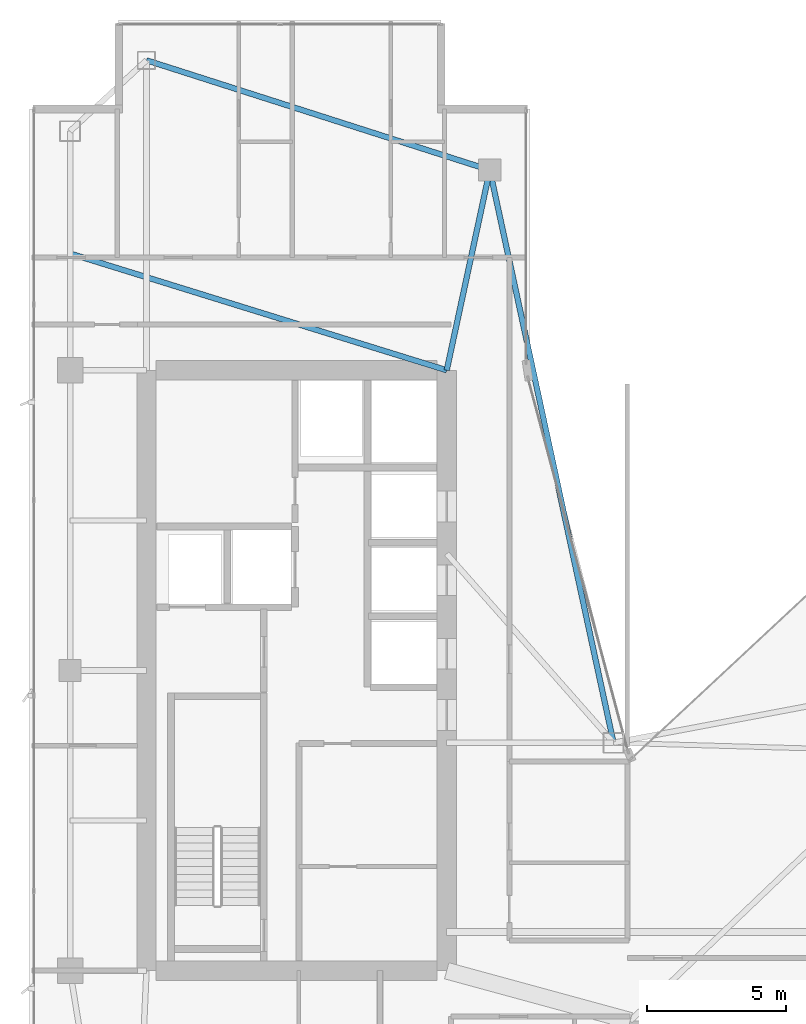
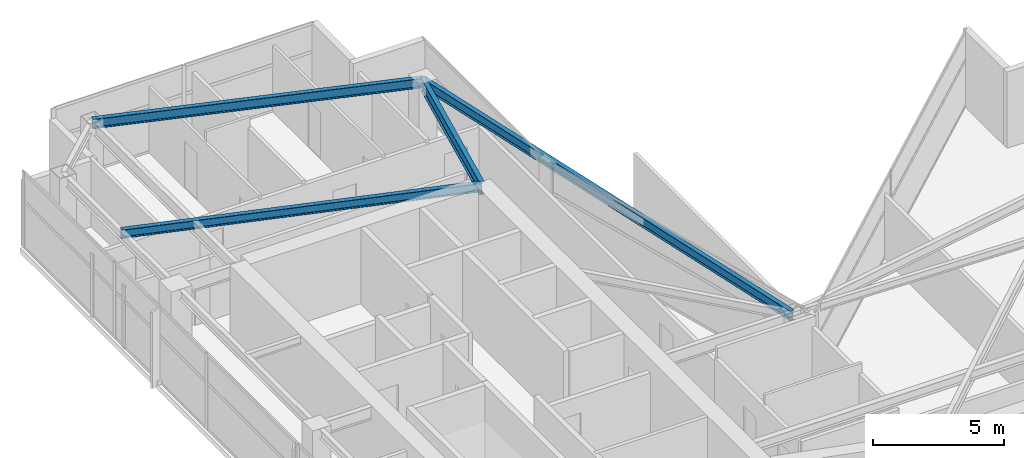
# One storey, part 17 of 27: 4 beams.
"""IFC4 building model written with IfcOpenShell, lengths in metres."""

import ifcopenshell
import ifcopenshell.guid

model = None  # the IFC model being written
_history = None  # IfcOwnerHistory: only IFC2X3 demands one
_inside = {}  # id of a spatial element -> (the spatial element, [elements in it])
_under = {}  # id of a project, library or spatial element -> (it, [spatial elements below it])
_declared = {}  # id of a project -> (the project, [libraries it declares])
_typed = {}  # id of a type object -> (the type object, [elements of that type])
_made_of = {}  # id of a material, layer set ... -> (it, [elements and type objects made of it])


def new_model(schema):
    """Start an empty IFC model of exactly this schema.

    Asked for "IFC4X3", IfcOpenShell would pick the latest addendum, in which some entities
    have other attributes; the version numbers below select the first issue.
    IFC2X3 requires an IfcOwnerHistory on every rooted entity: one is made here for all.
    """
    global model, _history
    if schema == "IFC4X3":
        model = ifcopenshell.file(schema_version=(4, 3, 0, 0))
    else:
        model = ifcopenshell.file(schema=schema)
    _inside.clear()
    _under.clear()
    _declared.clear()
    _typed.clear()
    _made_of.clear()
    _history = None
    if model.schema == "IFC2X3":
        org = make("IfcOrganization", Name="unknown")
        user = make(
            "IfcPersonAndOrganization",
            ThePerson=make("IfcPerson", FamilyName="unknown"),
            TheOrganization=org,
        )
        app = make(
            "IfcApplication",
            ApplicationDeveloper=org,
            Version="unknown",
            ApplicationFullName="unknown",
            ApplicationIdentifier="unknown",
        )
        _history = make(
            "IfcOwnerHistory",
            OwningUser=user,
            OwningApplication=app,
            ChangeAction="ADDED",
            CreationDate=0,
        )
    return model


def make(cls, **values):
    """One entity of the class cls with the attributes given. An attribute that is None is left unset."""
    return model.create_entity(
        cls, **{name: value for name, value in values.items() if value is not None}
    )


def rooted(cls, **values):
    """An entity with a GlobalId (a new one), such as an element, a storey or a relation."""
    return make(cls, GlobalId=ifcopenshell.guid.new(), OwnerHistory=_history, **values)


def si_unit(unit_type, name, prefix=None):
    """IfcSIUnit, for example si_unit("LENGTHUNIT", "METRE", prefix="MILLI")."""
    return make("IfcSIUnit", UnitType=unit_type, Prefix=prefix, Name=name)


def assignment(units):
    """IfcUnitAssignment: the units of a project."""
    return None if units is None else make("IfcUnitAssignment", Units=units)


def point(xyz):
    """IfcCartesianPoint."""
    return None if xyz is None else make("IfcCartesianPoint", Coordinates=xyz)


def direction(xyz):
    """IfcDirection."""
    return None if xyz is None else make("IfcDirection", DirectionRatios=xyz)


def frame(location, z_axis=None, x_axis=None):
    """IfcAxis2Placement3D, a coordinate frame: its origin and axes. An axis left out is left unset."""
    return make(
        "IfcAxis2Placement3D",
        Location=point(location),
        Axis=direction(z_axis),
        RefDirection=direction(x_axis),
    )


def frame_2d(location, x_axis=None):
    """IfcAxis2Placement2D, a coordinate frame in the plane: its origin and x axis."""
    return make(
        "IfcAxis2Placement2D", Location=point(location), RefDirection=direction(x_axis)
    )


def origin():
    """The frame at (0, 0, 0) with its axes left unset."""
    return frame((0.0, 0.0, 0.0))


def origin_2d():
    """The frame at (0, 0) in the plane with its x axis left unset."""
    return frame_2d((0.0, 0.0))


def place(relative_to, where):
    """IfcLocalPlacement: puts the frame where relative to a parent placement (None: the world)."""
    return make(
        "IfcLocalPlacement", PlacementRelTo=relative_to, RelativePlacement=where
    )


def context(
    kind, dimensions, precision=None, world=None, true_north=None, identifier=None
):
    """IfcGeometricRepresentationContext, for example the 3D "Model" context."""
    return make(
        "IfcGeometricRepresentationContext",
        ContextIdentifier=identifier,
        ContextType=kind,
        CoordinateSpaceDimension=dimensions,
        Precision=precision,
        WorldCoordinateSystem=world,
        TrueNorth=true_north,
    )


def subcontext(parent, identifier, kind, view, scale=None):
    """IfcGeometricRepresentationSubContext, for example "Body" below "Model"."""
    return make(
        "IfcGeometricRepresentationSubContext",
        ContextIdentifier=identifier,
        ContextType=kind,
        ParentContext=parent,
        TargetScale=scale,
        TargetView=view,
    )


def project(units=None, contexts=None):
    """IfcProject with its units and contexts."""
    return rooted(
        "IfcProject",
        Name="project",
        RepresentationContexts=contexts,
        UnitsInContext=assignment(units),
    )


def spatial(cls, under=None, at=None, **own):
    """A site, building, storey or space (cls), placed at a placement, below another one or the project."""
    s = rooted(cls, ObjectPlacement=at, **own)
    if under is not None:
        _under.setdefault(under.id(), (under, []))[1].append(s)
    return s


def profile(cls, at=None, kind="AREA", **sizes):
    """A parametric profile (cls). Its sizes go by their IFC names, for example OverallWidth=200.0."""
    return make(cls, ProfileType=kind, Position=at, **sizes)


def i_section(**sizes):
    """IfcIShapeProfileDef."""
    return profile("IfcIShapeProfileDef", **sizes)


def extrude(swept, where, along, depth):
    """IfcExtrudedAreaSolid: the profile swept, set in the frame where, extruded along a direction by depth."""
    return make(
        "IfcExtrudedAreaSolid",
        SweptArea=swept,
        Position=where,
        ExtrudedDirection=direction(along),
        Depth=depth,
    )


def shape(context_of_items, identifier, shape_type, items):
    """IfcShapeRepresentation: the items that make up one representation, for example the "Body"."""
    return make(
        "IfcShapeRepresentation",
        ContextOfItems=context_of_items,
        RepresentationIdentifier=identifier,
        RepresentationType=shape_type,
        Items=items,
    )


def material(Name=None, Category=None):
    """IfcMaterial."""
    return make("IfcMaterial", Name=Name, Category=Category)


def material_profile(
    of_material, cross_section, Name=None, Category=None, Priority=None
):
    """IfcMaterialProfile: a cross section and its material."""
    return make(
        "IfcMaterialProfile",
        Name=Name,
        Material=of_material,
        Profile=cross_section,
        Priority=Priority,
        Category=Category,
    )


def profile_set(profiles, Name=None, composite=None):
    """IfcMaterialProfileSet."""
    return make(
        "IfcMaterialProfileSet",
        Name=Name,
        MaterialProfiles=profiles,
        CompositeProfile=composite,
    )


def made_of(thing, what):
    """Note that an element or type object is made of a material, layer set ...; save() writes the relation."""
    if what is not None:
        _made_of.setdefault(what.id(), (what, []))[1].append(thing)
    return thing


def type_object(cls, material=None, **own):
    """A type object (cls), such as IfcWallType, which elements share."""
    return made_of(rooted(cls, **own), material)


def element(
    cls,
    number,
    at=None,
    inside=None,
    cuts=None,
    type_object=None,
    material=None,
    context=None,
    identifier="Body",
    shape_type=None,
    held_by="IfcProductDefinitionShape",
    body=None,
    shapes=None,
    **own,
):
    """One element of the class cls, such as IfcWall. Its Tag is "e" and its number.

    at: its placement. inside: the storey or other place that contains it. cuts: it is an
    opening in that element (IfcRelVoidsElement). A single representation is given by context,
    identifier, shape_type and body (its items); several are given by shapes. held_by: the class
    of the entity that holds the representations. save() writes the other relations.
    """
    e = rooted(cls, Tag="e%d" % number, ObjectPlacement=at, **own)
    if body is not None:
        shapes = [shape(context, identifier, shape_type, body)]
    if shapes is not None:
        e.Representation = make(held_by, Representations=shapes)
    if inside is not None:
        _inside.setdefault(inside.id(), (inside, []))[1].append(e)
    if cuts is not None:
        rooted(
            "IfcRelVoidsElement", RelatingBuildingElement=cuts, RelatedOpeningElement=e
        )
    if type_object is not None:
        _typed.setdefault(type_object.id(), (type_object, []))[1].append(e)
    return made_of(e, material)


def aggregate(whole, parts):
    """IfcRelAggregates: a whole, such as a stair, and the parts it consists of."""
    return rooted("IfcRelAggregates", RelatingObject=whole, RelatedObjects=parts)


def save(model, path):
    """Write the relations noted so far, then the file.

    IfcRelAggregates (storeys below a building ...), IfcRelContainedInSpatialStructure (elements
    in a storey), IfcRelDefinesByType, IfcRelAssociatesMaterial and IfcRelDeclares: one each for
    every whole, place, type object, material and project.
    """
    for whole, parts in _under.values():
        aggregate(whole, parts)
    for where, things in _inside.values():
        rooted(
            "IfcRelContainedInSpatialStructure",
            RelatedElements=things,
            RelatingStructure=where,
        )
    for kind, things in _typed.values():
        rooted("IfcRelDefinesByType", RelatedObjects=things, RelatingType=kind)
    for what, things in _made_of.values():
        rooted("IfcRelAssociatesMaterial", RelatedObjects=things, RelatingMaterial=what)
    for by, libraries in _declared.values():
        rooted("IfcRelDeclares", RelatingContext=by, RelatedDefinitions=libraries)
    model.write(path)


model = new_model("IFC4")

# Units and contexts
model_context = context("Model", 3, precision=1e-05, world=origin(), true_north=direction((0.0, 1.0)))
body_context = subcontext(model_context, "Body", "Model", "MODEL_VIEW")
ifc_project = project(units=[si_unit("LENGTHUNIT", "METRE"), si_unit("AREAUNIT", "SQUARE_METRE"), si_unit("VOLUMEUNIT", "CUBIC_METRE"), si_unit("PLANEANGLEUNIT", "RADIAN"), si_unit("MASSUNIT", "GRAM", prefix="KILO")], contexts=[model_context])

# Site, building, storey
site_placement = place(None, origin())
site = spatial("IfcSite", under=ifc_project, at=site_placement, CompositionType="ELEMENT")
building_placement = place(site_placement, origin())
building = spatial("IfcBuilding", under=site, at=building_placement, Name="Calvorn Quay Hotel", CompositionType="ELEMENT")
storey_placement = place(building_placement, frame((0.0, 0.0, 223.10009765625)))
storey = spatial("IfcBuildingStorey", under=building, at=storey_placement, Name="L55", CompositionType="ELEMENT", Elevation=223.10009765625)

# Beams
ifc_material_1 = material(Name="Steel Q355B", Category="steel")
ifc_material_profile_1 = material_profile(ifc_material_1, i_section(OverallWidth=0.199951171875, OverallDepth=0.60009765625, WebThickness=0.010986328125, FlangeThickness=0.01708984375, FilletRadius=0.01806640625, at=origin_2d()), Name="HN600x200x11x17")
ifc_profile_set_1 = profile_set([ifc_material_profile_1], Name="Steel Q355B")
beam_type_1 = type_object("IfcBeamType", Name="BM-GIRD-TYP", PredefinedType="BEAM", material=ifc_profile_set_1)
beam_1_placement = place(storey_placement, frame((16.550048828125, 45.60009765625, 3.239990234375), z_axis=(-0.210457140491, -0.97760308511, 0.0), x_axis=(0.97760308511, -0.210457140491, 0.0)))
element("IfcBeam", 1, at=beam_1_placement, inside=storey, type_object=beam_type_1, Name="Beam BG-L55-W6", PredefinedType="BEAM", context=body_context, shape_type="SweptSolid", body=[
    extrude(i_section(OverallWidth=0.199951171875, OverallDepth=0.60009765625, WebThickness=0.010986328125, FlangeThickness=0.01708984375, FilletRadius=0.01806640625, at=origin_2d()), origin(), (0.0, 0.0, 1.0), 7.365234375),
])
ifc_material_2 = material(Name="Steel Q355B", Category="steel")
ifc_material_profile_2 = material_profile(ifc_material_2, i_section(OverallWidth=0.199951171875, OverallDepth=0.39990234375, WebThickness=0.008056640625, FlangeThickness=0.012939453125, FilletRadius=0.01611328125, at=origin_2d()), Name="HN400x200x8x13")
ifc_profile_set_2 = profile_set([ifc_material_profile_2], Name="Steel Q355B")
beam_type_2 = type_object("IfcBeamType", Name="BM-JOIST-TYP", PredefinedType="JOIST", material=ifc_profile_set_2)
beam_2_placement = place(storey_placement, frame((1.449951171875, 42.60009765625, 3.33984375), z_axis=(0.955163702122, -0.296078202759, 0.0), x_axis=(0.296078202759, 0.955163702122, 0.0)))
element("IfcBeam", 2, at=beam_2_placement, inside=storey, type_object=beam_type_2, Name="Beam BJ-L55-W2", PredefinedType="JOIST", context=body_context, shape_type="SweptSolid", body=[
    extrude(i_section(OverallWidth=0.199951171875, OverallDepth=0.39990234375, WebThickness=0.008056640625, FlangeThickness=0.012939453125, FilletRadius=0.01611328125, at=origin_2d()), origin(), (0.0, 0.0, 1.0), 14.18603515625),
])
ifc_material_3 = material(Name="Steel Q355B", Category="steel")
ifc_material_profile_3 = material_profile(ifc_material_3, i_section(OverallWidth=0.199951171875, OverallDepth=0.449951171875, WebThickness=0.009033203125, FlangeThickness=0.013916015625, FilletRadius=0.01611328125, at=origin_2d()), Name="HN450x200x9x14")
ifc_profile_set_3 = profile_set([ifc_material_profile_3], Name="Steel Q355B")
beam_type_3 = type_object("IfcBeamType", Name="BM-SPANDREL-Z3", PredefinedType="SPANDREL", material=ifc_profile_set_3)
beam_3_placement = place(storey_placement, frame((4.199951171875, 49.550048828125, 3.31494140625), z_axis=(0.952470702374, -0.304630203885, 0.0), x_axis=(0.304630203885, 0.952470702374, 0.0)))
element("IfcBeam", 3, at=beam_3_placement, inside=storey, type_object=beam_type_3, Name="Beam BSP-L55-W6", PredefinedType="SPANDREL", context=body_context, shape_type="SweptSolid", body=[
    extrude(i_section(OverallWidth=0.199951171875, OverallDepth=0.449951171875, WebThickness=0.009033203125, FlangeThickness=0.013916015625, FilletRadius=0.01611328125, at=origin_2d()), origin(), (0.0, 0.0, 1.0), 12.96630859375),
])
beam_4_placement = place(storey_placement, frame((16.550048828125, 45.60009765625, 3.31494140625), z_axis=(0.211145848376, -0.977454567084, 0.0), x_axis=(0.977454567084, 0.211145848376, 0.0)))
element("IfcBeam", 4, at=beam_4_placement, inside=storey, type_object=beam_type_3, Name="Beam BSP-L55-W7", PredefinedType="SPANDREL", context=body_context, shape_type="SweptSolid", body=[
    extrude(i_section(OverallWidth=0.199951171875, OverallDepth=0.449951171875, WebThickness=0.009033203125, FlangeThickness=0.013916015625, FilletRadius=0.01611328125, at=origin_2d()), origin(), (0.0, 0.0, 1.0), 21.0751953125),
])

save(model, "model.ifc")
